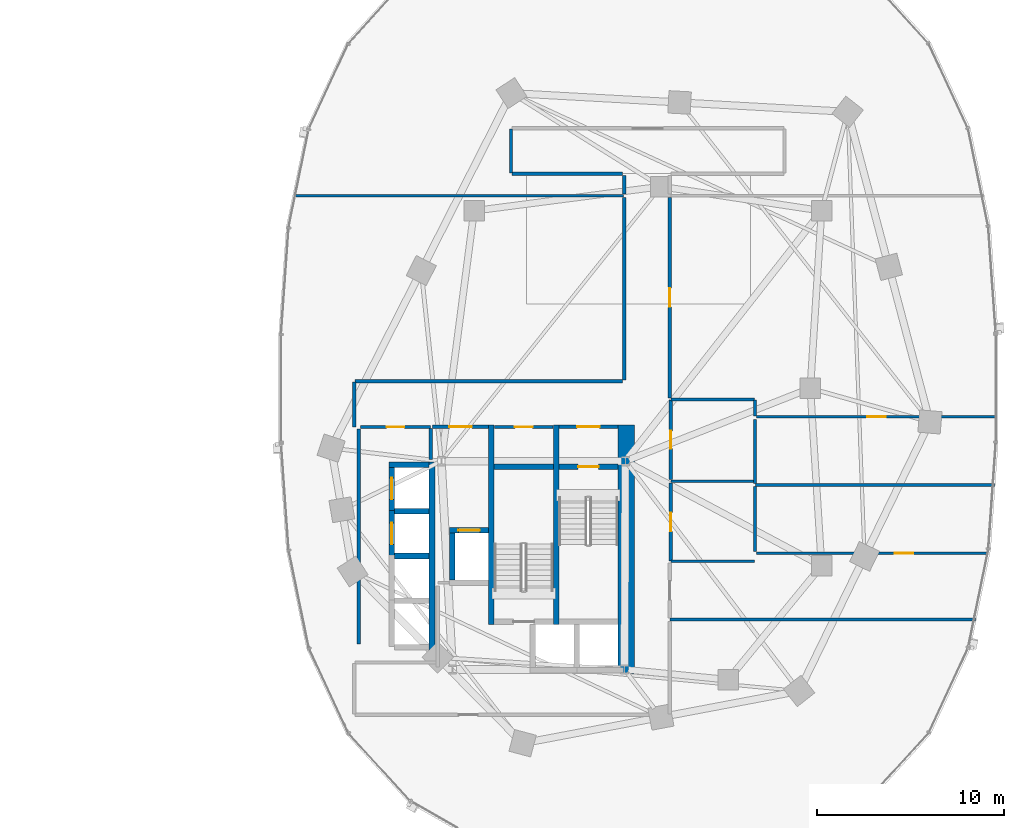
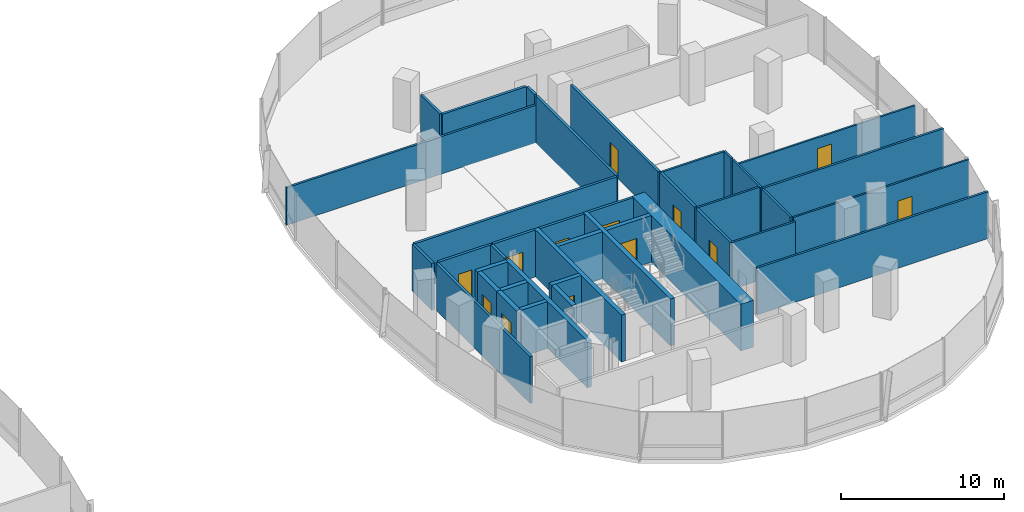
# One storey, part 13 of 21: 39 walls, 13 doors, 13 openings.
"""IFC4 building model written with IfcOpenShell, lengths in metres."""

from ifc_helpers import new_model, si_unit, direction, frame, frame_2d, origin, place, context, subcontext, project, spatial, rectangle, extrude, material, layer, layer_set, type_object, element, fill, save


model = new_model("IFC4")

# Units and contexts
model_context = context("Model", 3, precision=1e-05, world=origin(), true_north=direction((0.0, 1.0)))
body_context = subcontext(model_context, "Body", "Model", "MODEL_VIEW")
ifc_project = project(units=[si_unit("LENGTHUNIT", "METRE"), si_unit("AREAUNIT", "SQUARE_METRE"), si_unit("VOLUMEUNIT", "CUBIC_METRE"), si_unit("PLANEANGLEUNIT", "RADIAN"), si_unit("MASSUNIT", "GRAM", prefix="KILO"), si_unit("THERMODYNAMICTEMPERATUREUNIT", "KELVIN"), si_unit("POWERUNIT", "WATT")], contexts=[model_context])

# Site, building, storey
site_placement = place(None, origin())
site = spatial("IfcSite", under=ifc_project, at=site_placement, CompositionType="ELEMENT")
building_placement = place(site_placement, origin())
building = spatial("IfcBuilding", under=site, at=building_placement, Name="Cundina Bronze Exchange", CompositionType="ELEMENT")
storey_placement = place(building_placement, frame((0.0, 0.0, 46.800048828125)))
storey = spatial("IfcBuildingStorey", under=building, at=storey_placement, Name="L11", CompositionType="ELEMENT", Elevation=46.800048828125)

# Wall
ifc_material_1 = material(Name="Gypsum Fireboard Partition EI120")
ifc_layer_1 = layer(ifc_material_1, 0.179931640625, Name="Gypsum Fireboard Partition EI120")
ifc_layer_set_1 = layer_set([ifc_layer_1], Name="Gypsum Fireboard Partition EI120")
wall_type_1 = type_object("IfcWallType", Name="WL-COR-180", PredefinedType="PARTITIONING", material=ifc_layer_set_1)
wall_1_placement = place(storey_placement, frame((20.889892578125, -3.800048828125, 0.0), z_axis=(0.0, 0.0, 1.0), x_axis=(0.0, 1.0, 0.0)))
element("IfcWall", 1, at=wall_1_placement, inside=storey, type_object=wall_type_1, Name="L11 E Firefighting Lobby Side Wall", PredefinedType="PARTITIONING", context=body_context, shape_type="SweptSolid", body=[
    extrude(rectangle(XDim=1.650146484375, YDim=0.179931640625, at=frame_2d((0.8251953125, 0.0))), origin(), (0.0, 0.0, 1.0), 3.5),
])

# Wall, opening, door
wall_2_placement = place(storey_placement, frame((20.97998046875, -2.06005859375, 0.0), z_axis=(0.0, 0.0, 1.0), x_axis=(1.0, 0.0, 0.0)))
wall_2 = element("IfcWall", 2, at=wall_2_placement, inside=storey, type_object=wall_type_1, Name="L11 E Firefighting Lobby Exit Wall", PredefinedType="PARTITIONING", context=body_context, shape_type="SweptSolid", body=[
    extrude(rectangle(XDim=3.0, YDim=0.179931640625, at=frame_2d((1.5, 0.0))), origin(), (0.0, 0.0, 1.0), 3.5),
])
opening_1_placement = place(wall_2_placement, frame((0.89990234375, 0.0, 0.0)))
opening_1 = element("IfcOpeningElement", 3, at=opening_1_placement, cuts=wall_2, Name="Opening DF-01", PredefinedType="OPENING", context=body_context, shape_type="SweptSolid", body=[
    extrude(rectangle(XDim=1.199951171875, YDim=2.14990234375, at=frame_2d((0.60009765625, 1.074951171875))), frame((0.0, 0.099853515625, 0.0), z_axis=(0.0, -1.0, 0.0), x_axis=(1.0, 0.0, 0.0)), (0.0, 0.0, 1.0), 0.199951171875),
])
ifc_material_2 = material(Name="Steel ASTM A36 Painted", Category="steel")
door_type_1 = type_object("IfcDoorType", Name="DR-FFL-1200", OperationType="NOTDEFINED", PredefinedType="DOOR", material=ifc_material_2)
door_1_placement = place(opening_1_placement, origin())
door_1 = element("IfcDoor", 4, at=door_1_placement, inside=storey, type_object=door_type_1, Name="L11 E Firefighting Lobby Door", OperationType="SINGLE_SWING_LEFT", OverallHeight=2.14990234375, OverallWidth=1.199951171875, PredefinedType="DOOR", context=body_context, shape_type="SweptSolid", body=[
    extrude(rectangle(XDim=1.199951171875, YDim=2.14990234375, at=frame_2d((0.60009765625, 1.074951171875))), frame((0.0, 0.02490234375, 0.0), z_axis=(0.0, -1.0, 0.0), x_axis=(1.0, 0.0, 0.0)), (0.0, 0.0, 1.0), 0.050048828125),
])
fill(opening_1, door_1)

wall_3_placement = place(storey_placement, frame((27.739990234375, -2.06005859375, 0.0), z_axis=(0.0, 0.0, 1.0), x_axis=(1.0, 0.0, 0.0)))
wall_3 = element("IfcWall", 5, at=wall_3_placement, inside=storey, type_object=wall_type_1, Name="L11 E Stair Vestibule Exit Wall", PredefinedType="PARTITIONING", context=body_context, shape_type="SweptSolid", body=[
    extrude(rectangle(XDim=3.159912109375, YDim=0.179931640625, at=frame_2d((1.580078125, 0.0))), origin(), (0.0, 0.0, 1.0), 3.5),
])
opening_2_placement = place(wall_3_placement, frame((0.97998046875, 0.0, 0.0)))
opening_2 = element("IfcOpeningElement", 6, at=opening_2_placement, cuts=wall_3, Name="Opening DF-01", PredefinedType="OPENING", context=body_context, shape_type="SweptSolid", body=[
    extrude(rectangle(XDim=1.199951171875, YDim=2.14990234375, at=frame_2d((0.60009765625, 1.074951171875))), frame((0.0, 0.099853515625, 0.0), z_axis=(0.0, -1.0, 0.0), x_axis=(1.0, 0.0, 0.0)), (0.0, 0.0, 1.0), 0.199951171875),
])
door_2_placement = place(opening_2_placement, origin())
door_2 = element("IfcDoor", 7, at=door_2_placement, inside=storey, type_object=door_type_1, Name="L11 E Stair Vestibule Door", OperationType="SINGLE_SWING_RIGHT", OverallHeight=2.14990234375, OverallWidth=1.199951171875, PredefinedType="DOOR", context=body_context, shape_type="SweptSolid", body=[
    extrude(rectangle(XDim=1.199951171875, YDim=2.14990234375, at=frame_2d((0.60009765625, 1.074951171875))), frame((0.0, 0.02490234375, 0.0), z_axis=(0.0, -1.0, 0.0), x_axis=(1.0, 0.0, 0.0)), (0.0, 0.0, 1.0), 0.050048828125),
])
fill(opening_2, door_2)

# Wall
wall_4_placement = place(storey_placement, frame((17.02001953125, -13.679931640625, 0.0), z_axis=(0.0, 0.0, 1.0), x_axis=(0.0, 1.0, 0.0)))
element("IfcWall", 8, at=wall_4_placement, inside=storey, type_object=wall_type_1, Name="L11 Interior Partition 040", PredefinedType="PARTITIONING", context=body_context, shape_type="SweptSolid", body=[
    extrude(rectangle(XDim=11.510009765625, YDim=0.179931640625, at=frame_2d((5.7548828125, 0.0))), origin(), (0.0, 0.0, 1.0), 3.5),
])

# Wall, opening, door
wall_5_placement = place(storey_placement, frame((17.1201171875, -2.070068359375, 0.0), z_axis=(0.0, 0.0, 1.0), x_axis=(1.0, 0.0, 0.0)))
wall_5 = element("IfcWall", 9, at=wall_5_placement, inside=storey, type_object=wall_type_1, Name="L11 Interior Partition 041", PredefinedType="PARTITIONING", context=body_context, shape_type="SweptSolid", body=[
    extrude(rectangle(XDim=3.75, YDim=0.179931640625, at=frame_2d((1.875, 0.0))), origin(), (0.0, 0.0, 1.0), 3.5),
])
opening_3_placement = place(wall_5_placement, frame((1.39990234375, 0.0, 0.0)))
opening_3 = element("IfcOpeningElement", 10, at=opening_3_placement, cuts=wall_5, Name="Opening DW-01", PredefinedType="OPENING", context=body_context, shape_type="SweptSolid", body=[
    extrude(rectangle(XDim=0.949951171875, YDim=2.10009765625, at=frame_2d((0.47509765625, 1.050048828125))), frame((0.0, 0.099853515625, 0.0), z_axis=(0.0, -1.0, 0.0), x_axis=(1.0, 0.0, 0.0)), (0.0, 0.0, 1.0), 0.199951171875),
])
ifc_material_3 = material(Name="Solid Andean Oak Timber Grade A", Category="wood")
door_type_2 = type_object("IfcDoorType", Name="DR-WC-950", OperationType="NOTDEFINED", PredefinedType="DOOR", material=ifc_material_3)
door_3_placement = place(opening_3_placement, origin())
door_3 = element("IfcDoor", 11, at=door_3_placement, inside=storey, type_object=door_type_2, Name="L11 Interior Door 041", OperationType="SINGLE_SWING_LEFT", OverallHeight=2.10009765625, OverallWidth=0.949951171875, PredefinedType="DOOR", context=body_context, shape_type="SweptSolid", body=[
    extrude(rectangle(XDim=0.949951171875, YDim=2.10009765625, at=frame_2d((0.47509765625, 1.050048828125))), frame((0.0, 0.02490234375, 0.0), z_axis=(0.0, -1.0, 0.0), x_axis=(1.0, 0.0, 0.0)), (0.0, 0.0, 1.0), 0.050048828125),
])
fill(opening_3, door_3)

wall_6_placement = place(storey_placement, frame((24.300048828125, -2.070068359375, 0.0), z_axis=(0.0, 0.0, 1.0), x_axis=(1.0, 0.0, 0.0)))
wall_6 = element("IfcWall", 12, at=wall_6_placement, inside=storey, type_object=wall_type_1, Name="L11 Interior Partition 044", PredefinedType="PARTITIONING", context=body_context, shape_type="SweptSolid", body=[
    extrude(rectangle(XDim=3.119873046875, YDim=0.179931640625, at=frame_2d((1.56005859375, 0.0))), origin(), (0.0, 0.0, 1.0), 3.5),
])
opening_4_placement = place(wall_6_placement, frame((1.0849609375, 0.0, 0.0)))
opening_4 = element("IfcOpeningElement", 13, at=opening_4_placement, cuts=wall_6, Name="Opening DW-01", PredefinedType="OPENING", context=body_context, shape_type="SweptSolid", body=[
    extrude(rectangle(XDim=0.949951171875, YDim=2.10009765625, at=frame_2d((0.47509765625, 1.050048828125))), frame((0.0, 0.099853515625, 0.0), z_axis=(0.0, -1.0, 0.0), x_axis=(1.0, 0.0, 0.0)), (0.0, 0.0, 1.0), 0.199951171875),
])
door_4_placement = place(opening_4_placement, origin())
door_4 = element("IfcDoor", 14, at=door_4_placement, inside=storey, type_object=door_type_2, Name="L11 Interior Door 044", OperationType="SINGLE_SWING_LEFT", OverallHeight=2.10009765625, OverallWidth=0.949951171875, PredefinedType="DOOR", context=body_context, shape_type="SweptSolid", body=[
    extrude(rectangle(XDim=0.949951171875, YDim=2.10009765625, at=frame_2d((0.47509765625, 1.050048828125))), frame((0.0, 0.02490234375, 0.0), z_axis=(0.0, -1.0, 0.0), x_axis=(1.0, 0.0, 0.0)), (0.0, 0.0, 1.0), 0.050048828125),
])
fill(opening_4, door_4)

wall_7_placement = place(storey_placement, frame((33.719970703125, -4.8798828125, 0.0), z_axis=(0.0, 0.0, 1.0), x_axis=(0.0, 1.0, 0.0)))
wall_7 = element("IfcWall", 15, at=wall_7_placement, inside=storey, type_object=wall_type_1, Name="L11 Interior Partition 051", PredefinedType="PARTITIONING", context=body_context, shape_type="SweptSolid", body=[
    extrude(rectangle(XDim=4.259765625, YDim=0.179931640625, at=frame_2d((2.1298828125, 0.0))), origin(), (0.0, 0.0, 1.0), 3.5),
])
opening_5_placement = place(wall_7_placement, frame((1.655029296875, 0.0, 0.0)))
opening_5 = element("IfcOpeningElement", 16, at=opening_5_placement, cuts=wall_7, Name="Opening DW-01", PredefinedType="OPENING", context=body_context, shape_type="SweptSolid", body=[
    extrude(rectangle(XDim=0.949951171875, YDim=2.10009765625, at=frame_2d((0.47509765625, 1.050048828125))), frame((0.0, 0.099853515625, 0.0), z_axis=(0.0, -1.0, 0.0), x_axis=(1.0, 0.0, 0.0)), (0.0, 0.0, 1.0), 0.199951171875),
])
door_5_placement = place(opening_5_placement, origin())
door_5 = element("IfcDoor", 17, at=door_5_placement, inside=storey, type_object=door_type_2, Name="L11 Interior Door 051", OperationType="SINGLE_SWING_LEFT", OverallHeight=2.10009765625, OverallWidth=0.949951171875, PredefinedType="DOOR", context=body_context, shape_type="SweptSolid", body=[
    extrude(rectangle(XDim=0.949951171875, YDim=2.10009765625, at=frame_2d((0.47509765625, 1.050048828125))), frame((0.0, 0.02490234375, 0.0), z_axis=(0.0, -1.0, 0.0), x_axis=(1.0, 0.0, 0.0)), (0.0, 0.0, 1.0), 0.050048828125),
])
fill(opening_5, door_5)

wall_8_placement = place(storey_placement, frame((33.719970703125, -9.239990234375, 0.0), z_axis=(0.0, 0.0, 1.0), x_axis=(0.0, 1.0, 0.0)))
wall_8 = element("IfcWall", 18, at=wall_8_placement, inside=storey, type_object=wall_type_1, Name="L11 Interior Partition 052", PredefinedType="PARTITIONING", context=body_context, shape_type="SweptSolid", body=[
    extrude(rectangle(XDim=4.159912109375, YDim=0.179931640625, at=frame_2d((2.080078125, 0.0))), origin(), (0.0, 0.0, 1.0), 3.5),
])
opening_6_placement = place(wall_8_placement, frame((1.580078125, 0.0, 0.0)))
opening_6 = element("IfcOpeningElement", 19, at=opening_6_placement, cuts=wall_8, Name="Opening DO-01", PredefinedType="OPENING", context=body_context, shape_type="SweptSolid", body=[
    extrude(rectangle(XDim=1.0, YDim=2.14990234375, at=frame_2d((0.5, 1.074951171875))), frame((0.0, 0.099853515625, 0.0), z_axis=(0.0, -1.0, 0.0), x_axis=(1.0, 0.0, 0.0)), (0.0, 0.0, 1.0), 0.199951171875),
])
door_type_3 = type_object("IfcDoorType", Name="DR-OFF-1000", OperationType="NOTDEFINED", PredefinedType="DOOR", material=ifc_material_3)
door_6_placement = place(opening_6_placement, origin())
door_6 = element("IfcDoor", 20, at=door_6_placement, inside=storey, type_object=door_type_3, Name="L11 Interior Door 052", OperationType="SINGLE_SWING_LEFT", OverallHeight=2.14990234375, OverallWidth=1.0, PredefinedType="DOOR", context=body_context, shape_type="SweptSolid", body=[
    extrude(rectangle(XDim=1.0, YDim=2.14990234375, at=frame_2d((0.5, 1.074951171875))), frame((0.0, 0.02490234375, 0.0), z_axis=(0.0, -1.0, 0.0), x_axis=(1.0, 0.0, 0.0)), (0.0, 0.0, 1.0), 0.050048828125),
])
fill(opening_6, door_6)

# Walls
wall_9_placement = place(storey_placement, frame((31.14990234375, 0.3701171875, 0.0), z_axis=(0.0, 0.0, 1.0), x_axis=(-1.0, 0.0, 0.0)))
element("IfcWall", 21, at=wall_9_placement, inside=storey, type_object=wall_type_1, Name="L11 Interior Partition 059", PredefinedType="PARTITIONING", context=body_context, shape_type="SweptSolid", body=[
    extrude(rectangle(XDim=14.328369140625, YDim=0.179931640625, at=frame_2d((7.1640625, 0.0))), origin(), (0.0, 0.0, 1.0), 3.5),
])
wall_10_placement = place(storey_placement, frame((31.22998046875, 10.219970703125, 0.0), z_axis=(0.0, 0.0, 1.0), x_axis=(0.0, -1.0, 0.0)))
element("IfcWall", 22, at=wall_10_placement, inside=storey, type_object=wall_type_1, Name="L11 Interior Partition 060", PredefinedType="PARTITIONING", context=body_context, shape_type="SweptSolid", body=[
    extrude(rectangle(XDim=9.77001953125, YDim=0.179931640625, at=frame_2d((4.885009765625, 0.0))), origin(), (0.0, 0.0, 1.0), 3.5),
])
wall_11_placement = place(storey_placement, frame((16.780029296875, 0.32861328125, 0.0), z_axis=(0.0, 0.0, 1.0), x_axis=(0.0, -1.0, 0.0)))
element("IfcWall", 23, at=wall_11_placement, inside=storey, type_object=wall_type_1, Name="L11 Interior Partition 064", PredefinedType="PARTITIONING", context=body_context, shape_type="SweptSolid", body=[
    extrude(rectangle(XDim=2.38720703125, YDim=0.179931640625, at=frame_2d((1.193603515625, 0.0))), origin(), (0.0, 0.0, 1.0), 3.5),
])

# Wall, opening, door
wall_12_placement = place(storey_placement, frame((33.669921875, -0.508544921875, 0.0), z_axis=(0.0, 0.0, 1.0), x_axis=(0.0, 1.0, 0.0)))
wall_12 = element("IfcWall", 24, at=wall_12_placement, inside=storey, type_object=wall_type_1, Name="L11 Interior Partition 065", PredefinedType="PARTITIONING", context=body_context, shape_type="SweptSolid", body=[
    extrude(rectangle(XDim=10.728515625, YDim=0.179931640625, at=frame_2d((5.3642578125, 0.0))), origin(), (0.0, 0.0, 1.0), 3.5),
])
opening_7_placement = place(wall_12_placement, frame((4.8642578125, 0.0, 0.0)))
opening_7 = element("IfcOpeningElement", 25, at=opening_7_placement, cuts=wall_12, Name="Opening DO-01", PredefinedType="OPENING", context=body_context, shape_type="SweptSolid", body=[
    extrude(rectangle(XDim=1.0, YDim=2.14990234375, at=frame_2d((0.5, 1.074951171875))), frame((0.0, 0.099853515625, 0.0), z_axis=(0.0, -1.0, 0.0), x_axis=(1.0, 0.0, 0.0)), (0.0, 0.0, 1.0), 0.199951171875),
])
door_7_placement = place(opening_7_placement, origin())
door_7 = element("IfcDoor", 26, at=door_7_placement, inside=storey, type_object=door_type_3, Name="L11 Interior Door 065", OperationType="SINGLE_SWING_RIGHT", OverallHeight=2.14990234375, OverallWidth=1.0, PredefinedType="DOOR", context=body_context, shape_type="SweptSolid", body=[
    extrude(rectangle(XDim=1.0, YDim=2.14990234375, at=frame_2d((0.5, 1.074951171875))), frame((0.0, 0.02490234375, 0.0), z_axis=(0.0, -1.0, 0.0), x_axis=(1.0, 0.0, 0.0)), (0.0, 0.0, 1.0), 0.050048828125),
])
fill(opening_7, door_7)

# Walls
wall_13_placement = place(storey_placement, frame((25.221435546875, 11.47998046875, 0.0), z_axis=(0.0, 0.0, 1.0), x_axis=(1.0, 0.0, 0.0)))
element("IfcWall", 27, at=wall_13_placement, inside=storey, type_object=wall_type_1, Name="L11 Interior Partition 068", PredefinedType="PARTITIONING", context=body_context, shape_type="SweptSolid", body=[
    extrude(rectangle(XDim=5.928466796875, YDim=0.179931640625, at=frame_2d((2.96435546875, 0.0))), origin(), (0.0, 0.0, 1.0), 3.5),
])
wall_14_placement = place(storey_placement, frame((25.179931640625, 13.87841796875, 0.0), z_axis=(0.0, 0.0, 1.0), x_axis=(0.0, -1.0, 0.0)))
element("IfcWall", 28, at=wall_14_placement, inside=storey, type_object=wall_type_1, Name="L11 Interior Partition 070", PredefinedType="PARTITIONING", context=body_context, shape_type="SweptSolid", body=[
    extrude(rectangle(XDim=2.35693359375, YDim=0.179931640625, at=frame_2d((1.178466796875, 0.0))), origin(), (0.0, 0.0, 1.0), 3.5),
])
wall_15_placement = place(storey_placement, frame((31.22998046875, 11.39990234375, 0.0), z_axis=(0.0, 0.0, 1.0), x_axis=(0.0, -1.0, 0.0)))
element("IfcWall", 29, at=wall_15_placement, inside=storey, type_object=wall_type_1, Name="L11 Interior Partition 072", PredefinedType="PARTITIONING", context=body_context, shape_type="SweptSolid", body=[
    extrude(rectangle(XDim=1.0, YDim=0.179931640625, at=frame_2d((0.5, 0.0))), origin(), (0.0, 0.0, 1.0), 3.5),
])
ifc_material_4 = material(Name="Concrete C60/75", Category="concrete")
ifc_layer_2 = layer(ifc_material_4, 0.89990234375, Name="Concrete C60/75", Category="concrete")
ifc_layer_set_2 = layer_set([ifc_layer_2], Name="Concrete C60/75")
wall_type_2 = type_object("IfcWallType", Name="WL-CORE-900", PredefinedType="SHEAR", material=ifc_layer_set_2)
wall_16_placement = place(storey_placement, frame((31.35009765625, -15.300048828125, 0.0), z_axis=(0.0, 0.0, 1.0), x_axis=(0.0, 1.0, 0.0)))
element("IfcWall", 30, at=wall_16_placement, inside=storey, type_object=wall_type_2, Name="L11 E Primary Core Shear Spine Wall", PredefinedType="SHEAR", context=body_context, shape_type="SweptSolid", body=[
    extrude(rectangle(XDim=13.330078125, YDim=0.89990234375, at=frame_2d((6.6650390625, 0.0))), origin(), (0.0, 0.0, 1.0), 3.5),
])

# Wall, opening, door
ifc_material_5 = material(Name="Gypsum Acoustic Partition EI60")
ifc_layer_3 = layer(ifc_material_5, 0.125, Name="Gypsum Acoustic Partition EI60")
ifc_layer_set_3 = layer_set([ifc_layer_3], Name="Gypsum Acoustic Partition EI60")
wall_type_3 = type_object("IfcWallType", Name="WL-OFF-125", PredefinedType="PARTITIONING", material=ifc_layer_set_3)
wall_17_placement = place(storey_placement, frame((50.74169921875, -8.830078125, 0.0), z_axis=(0.0, 0.0, 1.0), x_axis=(-1.0, 0.0, 0.0)))
wall_17 = element("IfcWall", 31, at=wall_17_placement, inside=storey, type_object=wall_type_3, Name="L11 Interior Partition 073", PredefinedType="PARTITIONING", context=body_context, shape_type="SweptSolid", body=[
    extrude(rectangle(XDim=12.421630859375, YDim=0.125, at=frame_2d((6.2109375, 0.0))), origin(), (0.0, 0.0, 1.0), 3.5),
])
opening_8_placement = place(wall_17_placement, frame((4.03369140625, 0.0, 0.0)))
opening_8 = element("IfcOpeningElement", 32, at=opening_8_placement, cuts=wall_17, Name="Opening DO-01", PredefinedType="OPENING", context=body_context, shape_type="SweptSolid", body=[
    extrude(rectangle(XDim=1.0, YDim=2.14990234375, at=frame_2d((0.5, 1.074951171875))), frame((0.0, 0.072509765625, 0.0), z_axis=(0.0, -1.0, 0.0), x_axis=(1.0, 0.0, 0.0)), (0.0, 0.0, 1.0), 0.14501953125),
])
door_8_placement = place(opening_8_placement, origin())
door_8 = element("IfcDoor", 33, at=door_8_placement, inside=storey, type_object=door_type_3, Name="L11 Interior Door 073", OperationType="SINGLE_SWING_LEFT", OverallHeight=2.14990234375, OverallWidth=1.0, PredefinedType="DOOR", context=body_context, shape_type="SweptSolid", body=[
    extrude(rectangle(XDim=1.0, YDim=2.14990234375, at=frame_2d((0.5, 1.074951171875))), frame((0.0, 0.02490234375, 0.0), z_axis=(0.0, -1.0, 0.0), x_axis=(1.0, 0.0, 0.0)), (0.0, 0.0, 1.0), 0.050048828125),
])
fill(opening_8, door_8)

wall_18_placement = place(storey_placement, frame((38.320068359375, -1.530029296875, 0.0), z_axis=(0.0, 0.0, 1.0), x_axis=(1.0, 0.0, 0.0)))
wall_18 = element("IfcWall", 34, at=wall_18_placement, inside=storey, type_object=wall_type_3, Name="L11 Interior Partition 074", PredefinedType="PARTITIONING", context=body_context, shape_type="SweptSolid", body=[
    extrude(rectangle(XDim=12.837890625, YDim=0.125, at=frame_2d((6.4189453125, 0.0))), origin(), (0.0, 0.0, 1.0), 2.967041015625),
])
opening_9_placement = place(wall_18_placement, frame((5.9189453125, 0.0, 0.0)))
opening_9 = element("IfcOpeningElement", 35, at=opening_9_placement, cuts=wall_18, Name="Opening DO-01", PredefinedType="OPENING", context=body_context, shape_type="SweptSolid", body=[
    extrude(rectangle(XDim=1.0, YDim=2.14990234375, at=frame_2d((0.5, 1.074951171875))), frame((0.0, 0.072509765625, 0.0), z_axis=(0.0, -1.0, 0.0), x_axis=(1.0, 0.0, 0.0)), (0.0, 0.0, 1.0), 0.14501953125),
])
door_9_placement = place(opening_9_placement, origin())
door_9 = element("IfcDoor", 36, at=door_9_placement, inside=storey, type_object=door_type_3, Name="L11 Interior Door 074", OperationType="SINGLE_SWING_LEFT", OverallHeight=2.14990234375, OverallWidth=1.0, PredefinedType="DOOR", context=body_context, shape_type="SweptSolid", body=[
    extrude(rectangle(XDim=1.0, YDim=2.14990234375, at=frame_2d((0.5, 1.074951171875))), frame((0.0, 0.02490234375, 0.0), z_axis=(0.0, -1.0, 0.0), x_axis=(1.0, 0.0, 0.0)), (0.0, 0.0, 1.0), 0.050048828125),
])
fill(opening_9, door_9)

# Walls
ifc_material_6 = material(Name="Concrete C50/60", Category="concrete")
ifc_layer_4 = layer(ifc_material_6, 0.300048828125, Name="Concrete C50/60", Category="concrete")
ifc_layer_set_4 = layer_set([ifc_layer_4], Name="Concrete C50/60")
wall_type_4 = type_object("IfcWallType", Name="WL-SHFT-300", PredefinedType="SHEAR", material=ifc_layer_set_4)
for number, where, z_axis, x_axis, name in (
    (37, (27.590087890625, -12.64990234375, 0.0), (0.0, 0.0, 1.0), (0.0, 1.0, 0.0), "L11 E Stair Shaft Dividing Shear Wall"),
    (38, (24.1298828125, -12.64990234375, 0.0), (0.0, 0.0, 1.0), (0.0, 1.0, 0.0), "L11 E Stair 2 East Shear Wall"),
):
    element("IfcWall", number, at=place(storey_placement, frame(where, z_axis=z_axis, x_axis=x_axis)), inside=storey, type_object=wall_type_4, Name=name, PredefinedType="SHEAR", context=body_context, shape_type="SweptSolid", body=[
        extrude(rectangle(XDim=10.679931640625, YDim=0.300048828125, at=frame_2d((5.33984375, 0.0))), origin(), (0.0, 0.0, 1.0), 3.5),
    ])

# Wall, opening, door
wall_19_placement = place(storey_placement, frame((27.739990234375, -4.199951171875, 0.0), z_axis=(0.0, 0.0, 1.0), x_axis=(1.0, 0.0, 0.0)))
wall_19 = element("IfcWall", 39, at=wall_19_placement, inside=storey, type_object=wall_type_4, Name="L11 Stair E1 Landing Wall", PredefinedType="SHEAR", context=body_context, shape_type="SweptSolid", body=[
    extrude(rectangle(XDim=3.159912109375, YDim=0.300048828125, at=frame_2d((1.580078125, 0.0))), origin(), (0.0, 0.0, 1.0), 3.5),
])
opening_10_placement = place(wall_19_placement, frame((1.030029296875, 0.0, 0.0)))
opening_10 = element("IfcOpeningElement", 40, at=opening_10_placement, cuts=wall_19, Name="Opening DS-01", PredefinedType="OPENING", context=body_context, shape_type="SweptSolid", body=[
    extrude(rectangle(XDim=1.10009765625, YDim=2.14990234375, at=frame_2d((0.550048828125, 1.074951171875))), frame((0.0, 0.159912109375, 0.0), z_axis=(0.0, -1.0, 0.0), x_axis=(1.0, 0.0, 0.0)), (0.0, 0.0, 1.0), 0.320068359375),
])
door_type_4 = type_object("IfcDoorType", Name="DR-STR-1100", OperationType="NOTDEFINED", PredefinedType="DOOR", material=ifc_material_2)
door_10_placement = place(opening_10_placement, origin())
door_10 = element("IfcDoor", 41, at=door_10_placement, inside=storey, type_object=door_type_4, Name="L11 Smokeproof Stair E1 Door", OperationType="SINGLE_SWING_LEFT", OverallHeight=2.14990234375, OverallWidth=1.10009765625, PredefinedType="DOOR", context=body_context, shape_type="SweptSolid", body=[
    extrude(rectangle(XDim=1.10009765625, YDim=2.14990234375, at=frame_2d((0.550048828125, 1.074951171875))), frame((0.0, 0.02490234375, 0.0), z_axis=(0.0, -1.0, 0.0), x_axis=(1.0, 0.0, 0.0)), (0.0, 0.0, 1.0), 0.050048828125),
])
fill(opening_10, door_10)

# Wall
wall_20_placement = place(storey_placement, frame((24.280029296875, -4.199951171875, 0.0), z_axis=(0.0, 0.0, 1.0), x_axis=(1.0, 0.0, 0.0)))
element("IfcWall", 42, at=wall_20_placement, inside=storey, type_object=wall_type_4, Name="L11 Stair E2 Far Shaft Wall", PredefinedType="SHEAR", context=body_context, shape_type="SweptSolid", body=[
    extrude(rectangle(XDim=3.159912109375, YDim=0.300048828125, at=frame_2d((1.580078125, 0.0))), origin(), (0.0, 0.0, 1.0), 3.5),
])

# Wall, opening, door
wall_21_placement = place(storey_placement, frame((21.8798828125, -7.60009765625, 0.0), z_axis=(0.0, 0.0, 1.0), x_axis=(1.0, 0.0, 0.0)))
wall_21 = element("IfcWall", 43, at=wall_21_placement, inside=storey, type_object=wall_type_4, Name="L11 FFL-E Hoistway Front Wall", PredefinedType="SHEAR", context=body_context, shape_type="SweptSolid", body=[
    extrude(rectangle(XDim=2.10009765625, YDim=0.300048828125, at=frame_2d((1.050048828125, 0.0))), origin(), (0.0, 0.0, 1.0), 3.5),
])
opening_11_placement = place(wall_21_placement, frame((0.47509765625, 0.0, 0.0)))
opening_11 = element("IfcOpeningElement", 44, at=opening_11_placement, cuts=wall_21, Name="Opening LD-01", PredefinedType="OPENING", context=body_context, shape_type="SweptSolid", body=[
    extrude(rectangle(XDim=1.14990234375, YDim=2.199951171875, at=frame_2d((0.574951171875, 1.10009765625))), frame((0.0, 0.159912109375, 0.0), z_axis=(0.0, -1.0, 0.0), x_axis=(1.0, 0.0, 0.0)), (0.0, 0.0, 1.0), 0.320068359375),
])
door_type_5 = type_object("IfcDoorType", Name="DR-LND-1150", OperationType="NOTDEFINED", PredefinedType="TRAPDOOR", material=ifc_material_2)
door_11_placement = place(opening_11_placement, origin())
door_11 = element("IfcDoor", 45, at=door_11_placement, inside=storey, type_object=door_type_5, Name="L11 FFL-E Sliding Landing Door", OperationType="SLIDING_TO_LEFT", OverallHeight=2.199951171875, OverallWidth=1.14990234375, PredefinedType="TRAPDOOR", context=body_context, shape_type="SweptSolid", body=[
    extrude(rectangle(XDim=1.14990234375, YDim=2.199951171875, at=frame_2d((0.574951171875, 1.10009765625))), frame((0.0, 0.02490234375, 0.0), z_axis=(0.0, -1.0, 0.0), x_axis=(1.0, 0.0, 0.0)), (0.0, 0.0, 1.0), 0.050048828125),
])
fill(opening_11, door_11)

# Walls
wall_22_placement = place(storey_placement, frame((22.030029296875, -10.25, 0.0), z_axis=(0.0, 0.0, 1.0), x_axis=(0.0, 1.0, 0.0)))
element("IfcWall", 46, at=wall_22_placement, inside=storey, type_object=wall_type_4, Name="L11 FFL-E Hoistway Side Wall", PredefinedType="SHEAR", context=body_context, shape_type="SweptSolid", body=[
    extrude(rectangle(XDim=2.5, YDim=0.300048828125, at=frame_2d((1.25, 0.0))), origin(), (0.0, 0.0, 1.0), 3.5),
])
wall_23_placement = place(storey_placement, frame((20.949951171875, -14.0, 0.0), z_axis=(0.0, 0.0, 1.0), x_axis=(0.0, 1.0, 0.0)))
element("IfcWall", 47, at=wall_23_placement, inside=storey, type_object=wall_type_4, Name="L11 E Passenger Bank Hoistway Back Wall", PredefinedType="SHEAR", context=body_context, shape_type="SweptSolid", body=[
    extrude(rectangle(XDim=10.050048828125, YDim=0.300048828125, at=frame_2d((5.02490234375, 0.0))), origin(), (0.0, 0.0, 1.0), 3.5),
])
wall_24_placement = place(storey_placement, frame((18.64990234375, -4.10009765625, 0.0), z_axis=(0.0, 0.0, 1.0), x_axis=(1.0, 0.0, 0.0)))
element("IfcWall", 48, at=wall_24_placement, inside=storey, type_object=wall_type_4, Name="L11 E Passenger Bank North Cap Wall", PredefinedType="SHEAR", context=body_context, shape_type="SweptSolid", body=[
    extrude(rectangle(XDim=2.150146484375, YDim=0.300048828125, at=frame_2d((1.0751953125, 0.0))), origin(), (0.0, 0.0, 1.0), 3.5),
])
for number, where, z_axis, x_axis, name in (
    (49, (18.949951171875, -8.97509765625, 0.0), (0.0, 0.0, 1.0), (1.0, 0.0, 0.0), "L11 E Passenger Hoistway Divider 2"),
    (50, (18.949951171875, -6.574951171875, 0.0), (0.0, 0.0, 1.0), (1.0, 0.0, 0.0), "L11 E Passenger Hoistway Divider 3"),
):
    element("IfcWall", number, at=place(storey_placement, frame(where, z_axis=z_axis, x_axis=x_axis)), inside=storey, type_object=wall_type_4, Name=name, PredefinedType="SHEAR", context=body_context, shape_type="SweptSolid", body=[
        extrude(rectangle(XDim=1.85009765625, YDim=0.300048828125, at=frame_2d((0.925048828125, 0.0))), origin(), (0.0, 0.0, 1.0), 3.5),
    ])

# Wall, opening, door
wall_25_placement = place(storey_placement, frame((18.800048828125, -9.02001953125, 0.0), z_axis=(0.0, 0.0, 1.0), x_axis=(0.0, 1.0, 0.0)))
wall_25 = element("IfcWall", 51, at=wall_25_placement, inside=storey, type_object=wall_type_4, Name="L11 PL-E1 Hoistway Front Wall", PredefinedType="SHEAR", context=body_context, shape_type="SweptSolid", body=[
    extrude(rectangle(XDim=2.489990234375, YDim=0.300048828125, at=frame_2d((1.2451171875, 0.0))), origin(), (0.0, 0.0, 1.0), 3.5),
])
opening_12_placement = place(wall_25_placement, frame((0.669921875, 0.0, 0.0)))
opening_12 = element("IfcOpeningElement", 52, at=opening_12_placement, cuts=wall_25, Name="Opening LD-01", PredefinedType="OPENING", context=body_context, shape_type="SweptSolid", body=[
    extrude(rectangle(XDim=1.14990234375, YDim=2.199951171875, at=frame_2d((0.574951171875, 1.10009765625))), frame((0.0, 0.159912109375, 0.0), z_axis=(0.0, -1.0, 0.0), x_axis=(1.0, 0.0, 0.0)), (0.0, 0.0, 1.0), 0.320068359375),
])
door_12_placement = place(opening_12_placement, origin())
door_12 = element("IfcDoor", 53, at=door_12_placement, inside=storey, type_object=door_type_5, Name="L11 PL-E1 Sliding Landing Door", OperationType="SLIDING_TO_LEFT", OverallHeight=2.199951171875, OverallWidth=1.14990234375, PredefinedType="TRAPDOOR", context=body_context, shape_type="SweptSolid", body=[
    extrude(rectangle(XDim=1.14990234375, YDim=2.199951171875, at=frame_2d((0.574951171875, 1.10009765625))), frame((0.0, 0.02490234375, 0.0), z_axis=(0.0, -1.0, 0.0), x_axis=(1.0, 0.0, 0.0)), (0.0, 0.0, 1.0), 0.050048828125),
])
fill(opening_12, door_12)

wall_26_placement = place(storey_placement, frame((18.800048828125, -6.6201171875, 0.0), z_axis=(0.0, 0.0, 1.0), x_axis=(0.0, 1.0, 0.0)))
wall_26 = element("IfcWall", 54, at=wall_26_placement, inside=storey, type_object=wall_type_4, Name="L11 PL-E2 Hoistway Front Wall", PredefinedType="SHEAR", context=body_context, shape_type="SweptSolid", body=[
    extrude(rectangle(XDim=2.490234375, YDim=0.300048828125, at=frame_2d((1.2451171875, 0.0))), origin(), (0.0, 0.0, 1.0), 3.5),
])
opening_13_placement = place(wall_26_placement, frame((0.669921875, 0.0, 0.0)))
opening_13 = element("IfcOpeningElement", 55, at=opening_13_placement, cuts=wall_26, Name="Opening LD-01", PredefinedType="OPENING", context=body_context, shape_type="SweptSolid", body=[
    extrude(rectangle(XDim=1.14990234375, YDim=2.199951171875, at=frame_2d((0.574951171875, 1.10009765625))), frame((0.0, 0.159912109375, 0.0), z_axis=(0.0, -1.0, 0.0), x_axis=(1.0, 0.0, 0.0)), (0.0, 0.0, 1.0), 0.320068359375),
])
door_13_placement = place(opening_13_placement, origin())
door_13 = element("IfcDoor", 56, at=door_13_placement, inside=storey, type_object=door_type_5, Name="L11 PL-E2 Sliding Landing Door", OperationType="SLIDING_TO_LEFT", OverallHeight=2.199951171875, OverallWidth=1.14990234375, PredefinedType="TRAPDOOR", context=body_context, shape_type="SweptSolid", body=[
    extrude(rectangle(XDim=1.14990234375, YDim=2.199951171875, at=frame_2d((0.574951171875, 1.10009765625))), frame((0.0, 0.02490234375, 0.0), z_axis=(0.0, -1.0, 0.0), x_axis=(1.0, 0.0, 0.0)), (0.0, 0.0, 1.0), 0.050048828125),
])
fill(opening_13, door_13)

# Walls
ifc_layer_5 = layer(ifc_material_5, 0.14990234375, Name="Gypsum Acoustic Partition EI60")
ifc_layer_set_5 = layer_set([ifc_layer_5], Name="Gypsum Acoustic Partition EI60")
wall_type_5 = type_object("IfcWallType", Name="WL-TEN-150", PredefinedType="PARTITIONING", material=ifc_layer_set_5)
wall_27_placement = place(storey_placement, frame((13.536376953125, 10.31005859375, 0.0), z_axis=(0.0, 0.0, 1.0), x_axis=(1.0, 0.0, 0.0)))
element("IfcWall", 57, at=wall_27_placement, inside=storey, type_object=wall_type_5, Name="L11 Interior Partition 053", PredefinedType="PARTITIONING", context=body_context, shape_type="SweptSolid", body=[
    extrude(rectangle(XDim=17.66357421875, YDim=0.14990234375, at=frame_2d((8.831787109375, 0.0))), origin(), (0.0, 0.0, 1.0), 2.804931640625),
])
wall_28_placement = place(storey_placement, frame((38.27001953125, -5.179931640625, 0.0), z_axis=(0.0, 0.0, 1.0), x_axis=(1.0, 0.0, 0.0)))
element("IfcWall", 58, at=wall_28_placement, inside=storey, type_object=wall_type_5, Name="L11 Interior Partition 055", PredefinedType="PARTITIONING", context=body_context, shape_type="SweptSolid", body=[
    extrude(rectangle(XDim=12.779541015625, YDim=0.14990234375, at=frame_2d((6.3896484375, 0.0))), origin(), (0.0, 0.0, 1.0), 3.5),
])
wall_29_placement = place(storey_placement, frame((33.699951171875, -12.3798828125, 0.0), z_axis=(0.0, 0.0, 1.0), x_axis=(1.0, 0.0, 0.0)))
element("IfcWall", 59, at=wall_29_placement, inside=storey, type_object=wall_type_5, Name="L11 Interior Partition 056", PredefinedType="PARTITIONING", context=body_context, shape_type="SweptSolid", body=[
    extrude(rectangle(XDim=16.338134765625, YDim=0.14990234375, at=frame_2d((8.1689453125, 0.0))), origin(), (0.0, 0.0, 1.0), 3.5),
])
ifc_material_7 = material(Name="Moisture-Resistant Masonry Block Grade M15", Category="masonry")
ifc_layer_6 = layer(ifc_material_7, 0.139892578125, Name="Moisture-Resistant Masonry Block Grade M15", Category="masonry")
ifc_layer_set_6 = layer_set([ifc_layer_6], Name="Moisture-Resistant Masonry Block Grade M15")
wall_type_6 = type_object("IfcWallType", Name="WL-WET-140", PredefinedType="PARTITIONING", material=ifc_layer_set_6)
wall_30_placement = place(storey_placement, frame((38.239990234375, -8.7451171875, 0.0), z_axis=(0.0, 0.0, 1.0), x_axis=(0.0, 1.0, 0.0)))
element("IfcWall", 60, at=wall_30_placement, inside=storey, type_object=wall_type_6, Name="L11 Interior Partition 045", PredefinedType="PARTITIONING", context=body_context, shape_type="SweptSolid", body=[
    extrude(rectangle(XDim=3.480224609375, YDim=0.139892578125, at=frame_2d((1.740234375, 0.0))), origin(), (0.0, 0.0, 1.0), 3.5),
])
wall_31_placement = place(storey_placement, frame((38.239990234375, -5.094970703125, 0.0), z_axis=(0.0, 0.0, 1.0), x_axis=(0.0, 1.0, 0.0)))
element("IfcWall", 61, at=wall_31_placement, inside=storey, type_object=wall_type_6, Name="L11 Interior Partition 046", PredefinedType="PARTITIONING", context=body_context, shape_type="SweptSolid", body=[
    extrude(rectangle(XDim=3.429931640625, YDim=0.139892578125, at=frame_2d((1.71484375, 0.0))), origin(), (0.0, 0.0, 1.0), 3.5),
])
wall_32_placement = place(storey_placement, frame((38.239990234375, -1.4951171875, 0.0), z_axis=(0.0, 0.0, 1.0), x_axis=(0.0, 1.0, 0.0)))
element("IfcWall", 62, at=wall_32_placement, inside=storey, type_object=wall_type_6, Name="L11 Interior Partition 047", PredefinedType="PARTITIONING", context=body_context, shape_type="SweptSolid", body=[
    extrude(rectangle(XDim=0.875, YDim=0.139892578125, at=frame_2d((0.4375, 0.0))), origin(), (0.0, 0.0, 1.0), 3.5),
])
for number, where, z_axis, x_axis, name in (
    (63, (33.739990234375, -0.60009765625, 0.0), (0.0, 0.0, 1.0), (1.0, 0.0, 0.0), "L11 Interior Partition 048"),
    (64, (33.739990234375, -4.97998046875, 0.0), (0.0, 0.0, 1.0), (1.0, 0.0, 0.0), "L11 Interior Partition 049"),
    (65, (33.739990234375, -9.260009765625, 0.0), (0.0, 0.0, 1.0), (1.0, 0.0, 0.0), "L11 Interior Partition 050"),
):
    element("IfcWall", number, at=place(storey_placement, frame(where, z_axis=z_axis, x_axis=x_axis)), inside=storey, type_object=wall_type_6, Name=name, PredefinedType="PARTITIONING", context=body_context, shape_type="SweptSolid", body=[
        extrude(rectangle(XDim=4.47998046875, YDim=0.139892578125, at=frame_2d((2.239990234375, 0.0))), origin(), (0.0, 0.0, 1.0), 3.5),
    ])

save(model, "model.ifc")
